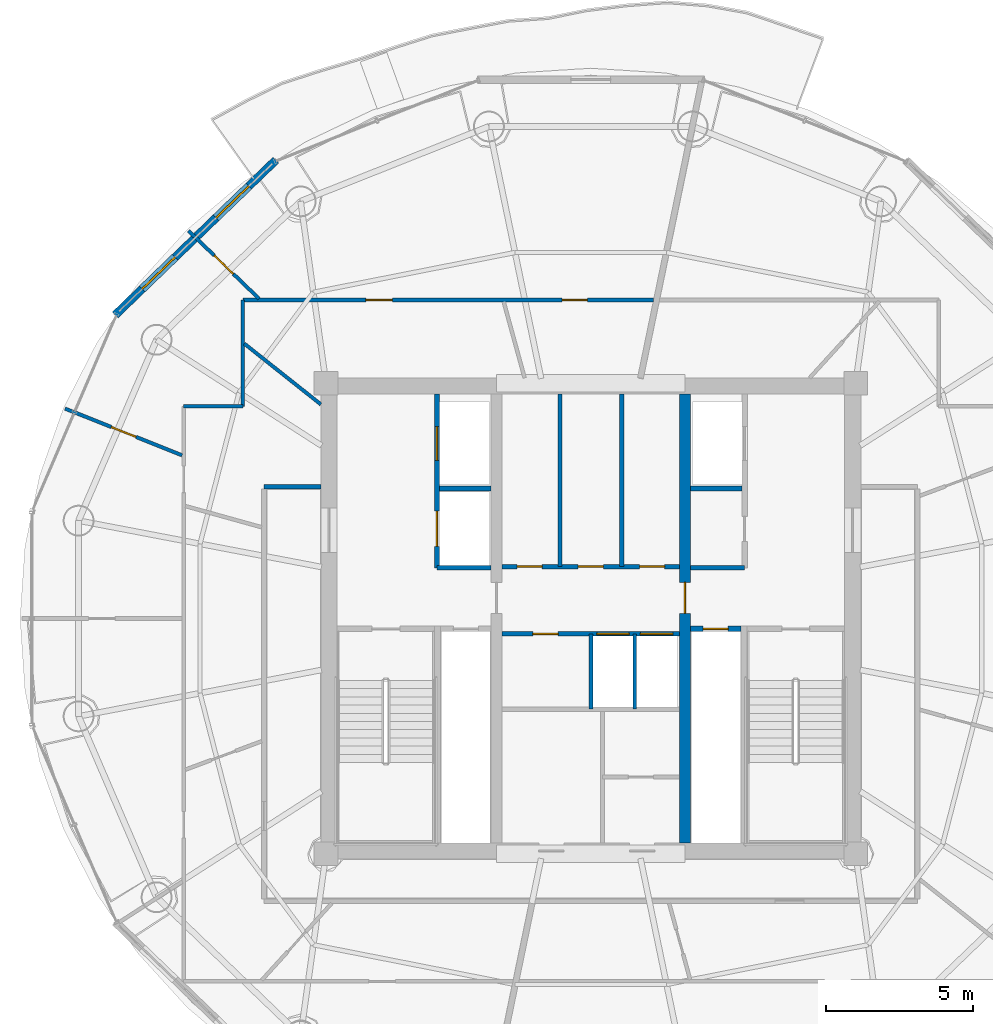
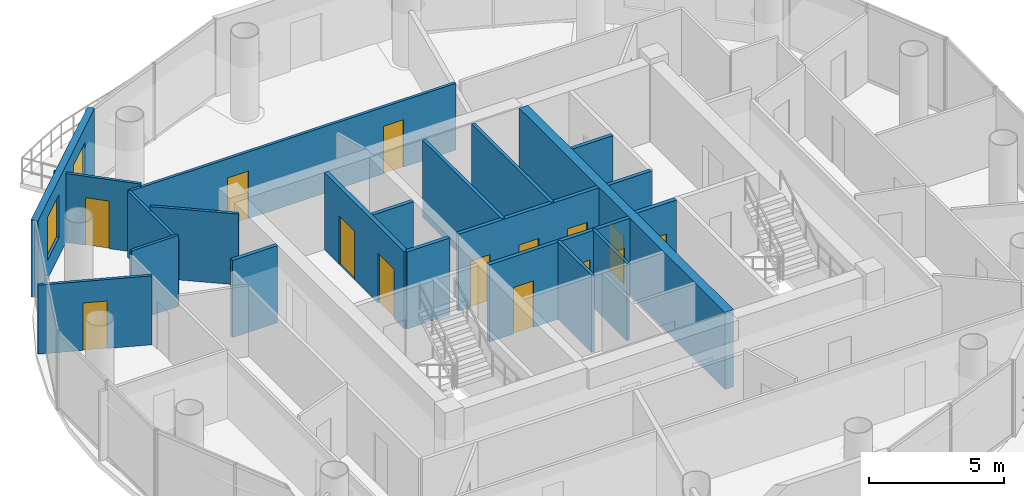
# One storey, part 16 of 22: 21 walls, 14 doors, 2 windows, 16 openings.
"""IFC4 building model written with IfcOpenShell, lengths in metres."""

from ifc_helpers import new_model, si_unit, direction, frame, frame_2d, origin, place, context, subcontext, project, spatial, rectangle, extrude, source, transform, mapped, material, layer, layer_set, type_object, element, fill, save


model = new_model("IFC4")

# Units and contexts
model_context = context("Model", 3, precision=1e-05, world=origin(), true_north=direction((-0.2419218956, 0.970295726276)))
body_context = subcontext(model_context, "Body", "Model", "MODEL_VIEW")
ifc_project = project(units=[si_unit("LENGTHUNIT", "METRE"), si_unit("AREAUNIT", "SQUARE_METRE"), si_unit("VOLUMEUNIT", "CUBIC_METRE"), si_unit("PLANEANGLEUNIT", "RADIAN"), si_unit("MASSUNIT", "GRAM", prefix="KILO")], contexts=[model_context])

# Site, building, storey
site_placement = place(None, origin())
site = spatial("IfcSite", under=ifc_project, at=site_placement, CompositionType="ELEMENT")
building_placement = place(site_placement, origin())
building = spatial("IfcBuilding", under=site, at=building_placement, Name="Cobrevalo Terracotta Tower", CompositionType="ELEMENT")
storey_placement = place(building_placement, frame((0.0, 0.0, 289.449951171875)))
storey = spatial("IfcBuildingStorey", under=building, at=storey_placement, Name="L76", CompositionType="ELEMENT", Elevation=289.449951171875)

# Walls
ifc_material_1 = material(Name="Gypsum board on steel stud", Category="steel")
ifc_layer_1 = layer(ifc_material_1, 0.159912109375)
ifc_layer_set_1 = layer_set([ifc_layer_1], Name="Gypsum board on steel stud")
wall_type_1 = type_object("IfcWallType", Name="Fire-rated corridor acoustic partition wall 160 mm", PredefinedType="PARTITIONING", material=ifc_layer_set_1)
wall_1_placement = place(storey_placement, frame((32.860107421875, 31.219970703125, 0.0), z_axis=(0.0, 0.0, 1.0), x_axis=(1.0, 0.0, 0.0)))
element("IfcWall", 1, at=wall_1_placement, inside=storey, type_object=wall_type_1, Name="L76 interior partition IW-L76-FF1-M", PredefinedType="PARTITIONING", context=body_context, shape_type="SweptSolid", body=[
    extrude(rectangle(XDim=1.75, YDim=0.159912109375, at=frame_2d((0.875, 0.0))), origin(), (0.0, 0.0, 1.0), 3.489990234375),
])
wall_2_placement = place(storey_placement, frame((32.77001953125, 28.52001953125, 0.0), z_axis=(0.0, 0.0, 1.0), x_axis=(1.0, 0.0, 0.0)))
element("IfcWall", 2, at=wall_2_placement, inside=storey, type_object=wall_type_1, Name="L76 interior partition IW-L76-FF1-S", PredefinedType="PARTITIONING", context=body_context, shape_type="SweptSolid", body=[
    extrude(rectangle(XDim=1.840087890625, YDim=0.159912109375, at=frame_2d((0.919921875, 0.0))), origin(), (0.0, 0.0, 1.0), 3.489990234375),
])
wall_3_placement = place(storey_placement, frame((41.389892578125, 31.219970703125, 0.0), z_axis=(0.0, 0.0, 1.0), x_axis=(1.0, 0.0, 0.0)))
element("IfcWall", 3, at=wall_3_placement, inside=storey, type_object=wall_type_1, Name="L76 interior partition IW-L76-FF2-M", PredefinedType="PARTITIONING", context=body_context, shape_type="SweptSolid", body=[
    extrude(rectangle(XDim=1.75, YDim=0.159912109375, at=frame_2d((0.875, 0.0))), origin(), (0.0, 0.0, 1.0), 3.489990234375),
])
wall_4_placement = place(storey_placement, frame((41.389892578125, 28.52001953125, 0.0), z_axis=(0.0, 0.0, 1.0), x_axis=(1.0, 0.0, 0.0)))
element("IfcWall", 4, at=wall_4_placement, inside=storey, type_object=wall_type_1, Name="L76 interior partition IW-L76-FF2-S", PredefinedType="PARTITIONING", context=body_context, shape_type="SweptSolid", body=[
    extrude(rectangle(XDim=1.840087890625, YDim=0.159912109375, at=frame_2d((0.919921875, 0.0))), origin(), (0.0, 0.0, 1.0), 3.489990234375),
])

# Wall, openings, doors
wall_5_placement = place(storey_placement, frame((34.989990234375, 28.56005859375, 0.0), z_axis=(0.0, 0.0, 1.0), x_axis=(1.0, 0.0, 0.0)))
wall_5 = element("IfcWall", 5, at=wall_5_placement, inside=storey, type_object=wall_type_1, Name="L76 interior partition IW-L76-LB-S", PredefinedType="PARTITIONING", context=body_context, shape_type="SweptSolid", body=[
    extrude(rectangle(XDim=6.02001953125, YDim=0.159912109375, at=frame_2d((3.010009765625, 0.0))), origin(), (0.0, 0.0, 1.0), 3.489990234375),
])
opening_1_placement = place(wall_5_placement, frame((0.5048828125, 0.0, 0.0)))
opening_1 = element("IfcOpeningElement", 6, at=opening_1_placement, cuts=wall_5, Name="Opening ID-22", PredefinedType="OPENING", context=body_context, shape_type="SweptSolid", body=[
    extrude(rectangle(XDim=0.85009765625, YDim=2.10009765625, at=frame_2d((0.425048828125, 1.050048828125))), frame((0.0, 0.08984375, 0.0), z_axis=(0.0, -1.0, 0.0), x_axis=(1.0, 0.0, 0.0)), (0.0, 0.0, 1.0), 0.179931640625),
])
opening_2_placement = place(wall_5_placement, frame((2.580078125, 0.0, 0.0)))
opening_2 = element("IfcOpeningElement", 7, at=opening_2_placement, cuts=wall_5, Name="Opening ID-07", PredefinedType="OPENING", context=body_context, shape_type="SweptSolid", body=[
    extrude(rectangle(XDim=0.860107421875, YDim=2.10009765625, at=frame_2d((0.43017578125, 1.050048828125))), frame((0.0, 0.08984375, 0.0), z_axis=(0.0, -1.0, 0.0), x_axis=(1.0, 0.0, 0.0)), (0.0, 0.0, 1.0), 0.179931640625),
])
opening_3_placement = place(wall_5_placement, frame((4.6650390625, 0.0, 0.0)))
opening_3 = element("IfcOpeningElement", 8, at=opening_3_placement, cuts=wall_5, Name="Opening ID-22", PredefinedType="OPENING", context=body_context, shape_type="SweptSolid", body=[
    extrude(rectangle(XDim=0.85009765625, YDim=2.10009765625, at=frame_2d((0.425048828125, 1.050048828125))), frame((0.0, 0.08984375, 0.0), z_axis=(0.0, -1.0, 0.0), x_axis=(1.0, 0.0, 0.0)), (0.0, 0.0, 1.0), 0.179931640625),
])
ifc_material_2 = material(Name="Powder-coated steel", Category="steel")
door_type_1 = type_object("IfcDoorType", Name="Riser shaft & meter closet fire access door 850x2100 EI 60", OperationType="NOTDEFINED", PredefinedType="DOOR", material=ifc_material_2)
shared_shape_1 = source(origin(), body_context, "Body", "SweptSolid", [
    extrude(rectangle(XDim=0.85009765625, YDim=2.10009765625, at=frame_2d((0.425048828125, 1.050048828125))), frame((0.0, 0.02490234375, 0.0), z_axis=(0.0, -1.0, 0.0), x_axis=(1.0, 0.0, 0.0)), (0.0, 0.0, 1.0), 0.050048828125),
])
door_1_placement = place(opening_1_placement, origin())
door_1 = element("IfcDoor", 9, at=door_1_placement, inside=storey, type_object=door_type_1, Name="L76 core service door Housekeeping Linen Store", OperationType="SINGLE_SWING_LEFT", OverallHeight=2.10009765625, OverallWidth=0.85009765625, PredefinedType="DOOR", context=body_context, shape_type="MappedRepresentation", body=[
    mapped(shared_shape_1, transform((0.0, 0.0, 0.0), scale=1.0)),
])
fill(opening_1, door_1)
door_2_placement = place(opening_3_placement, origin())
door_2 = element("IfcDoor", 10, at=door_2_placement, inside=storey, type_object=door_type_1, Name="L76 core service door Floor BMS Mechanical Plant", OperationType="SINGLE_SWING_LEFT", OverallHeight=2.10009765625, OverallWidth=0.85009765625, PredefinedType="DOOR", context=body_context, shape_type="MappedRepresentation", body=[
    mapped(shared_shape_1, transform((0.0, 0.0, 0.0), scale=1.0)),
])
fill(opening_3, door_2)
ifc_material_3 = material(Name="Fire-rated moisture-sealed timber", Category="wood")
door_type_2 = type_object("IfcDoorType", Name="Core & podium fire-rated accessible WC door 860x2100 EI 60", OperationType="NOTDEFINED", PredefinedType="DOOR", material=ifc_material_3)
shared_shape_2 = source(origin(), body_context, "Body", "SweptSolid", [
    extrude(rectangle(XDim=0.860107421875, YDim=2.10009765625, at=frame_2d((0.43017578125, 1.050048828125))), frame((0.0, 0.02490234375, 0.0), z_axis=(0.0, -1.0, 0.0), x_axis=(1.0, 0.0, 0.0)), (0.0, 0.0, 1.0), 0.050048828125),
])
door_3_placement = place(opening_2_placement, origin())
door_3 = element("IfcDoor", 11, at=door_3_placement, inside=storey, type_object=door_type_2, Name="L76 core service door Floor Service Toilet WC", OperationType="SINGLE_SWING_RIGHT", OverallHeight=2.10009765625, OverallWidth=0.860107421875, PredefinedType="DOOR", context=body_context, shape_type="MappedRepresentation", body=[
    mapped(shared_shape_2, transform((0.0, 0.0, 0.0), scale=1.0)),
])
fill(opening_2, door_3)

wall_6_placement = place(storey_placement, frame((34.989990234375, 26.280029296875, 0.0), z_axis=(0.0, 0.0, 1.0), x_axis=(1.0, 0.0, 0.0)))
wall_6 = element("IfcWall", 12, at=wall_6_placement, inside=storey, type_object=wall_type_1, Name="L76 interior partition IW-L76-MB-N", PredefinedType="PARTITIONING", context=body_context, shape_type="SweptSolid", body=[
    extrude(rectangle(XDim=6.02001953125, YDim=0.159912109375, at=frame_2d((3.010009765625, 0.0))), origin(), (0.0, 0.0, 1.0), 3.489990234375),
])
opening_4_placement = place(wall_6_placement, frame((1.044921875, 0.0, 0.0)))
opening_4 = element("IfcOpeningElement", 13, at=opening_4_placement, cuts=wall_6, Name="Opening ID-22", PredefinedType="OPENING", context=body_context, shape_type="SweptSolid", body=[
    extrude(rectangle(XDim=0.85009765625, YDim=2.10009765625, at=frame_2d((0.425048828125, 1.050048828125))), frame((0.0, 0.08984375, 0.0), z_axis=(0.0, -1.0, 0.0), x_axis=(1.0, 0.0, 0.0)), (0.0, 0.0, 1.0), 0.179931640625),
])
opening_5_placement = place(wall_6_placement, frame((3.215087890625, 0.0, 0.0)))
opening_5 = element("IfcOpeningElement", 14, at=opening_5_placement, cuts=wall_6, Name="Opening LD-01", PredefinedType="OPENING", context=body_context, shape_type="SweptSolid", body=[
    extrude(rectangle(XDim=1.10009765625, YDim=2.199951171875, at=frame_2d((0.550048828125, 1.10009765625))), frame((0.0, 0.08984375, 0.0), z_axis=(0.0, -1.0, 0.0), x_axis=(1.0, 0.0, 0.0)), (0.0, 0.0, 1.0), 0.179931640625),
])
opening_6_placement = place(wall_6_placement, frame((4.695068359375, 0.0, 0.0)))
opening_6 = element("IfcOpeningElement", 15, at=opening_6_placement, cuts=wall_6, Name="Opening LD-01", PredefinedType="OPENING", context=body_context, shape_type="SweptSolid", body=[
    extrude(rectangle(XDim=1.10009765625, YDim=2.199951171875, at=frame_2d((0.550048828125, 1.10009765625))), frame((0.0, 0.08984375, 0.0), z_axis=(0.0, -1.0, 0.0), x_axis=(1.0, 0.0, 0.0)), (0.0, 0.0, 1.0), 0.179931640625),
])
door_4_placement = place(opening_4_placement, frame((0.85009765625, 0.0, 0.0), z_axis=(0.0, 0.0, 1.0), x_axis=(-1.0, 0.0, 0.0)))
door_4 = element("IfcDoor", 16, at=door_4_placement, inside=storey, type_object=door_type_1, Name="L76 core room door High-Rise Core Linen and Equipment Store", OperationType="SINGLE_SWING_RIGHT", OverallHeight=2.10009765625, OverallWidth=0.85009765625, PredefinedType="DOOR", context=body_context, shape_type="MappedRepresentation", body=[
    mapped(shared_shape_1, transform((0.0, 0.0, 0.0), scale=1.0)),
])
fill(opening_4, door_4)
ifc_material_4 = material(Name="Brushed stainless steel", Category="steel")
door_type_3 = type_object("IfcDoorType", Name="Passenger lift landing bi-parting sliding door 1100x2200 EI 90", OperationType="DOUBLE_DOOR_SLIDING", PredefinedType="DOOR", material=ifc_material_4)
shared_shape_3 = source(origin(), body_context, "Body", "SweptSolid", [
    extrude(rectangle(XDim=1.10009765625, YDim=2.199951171875, at=frame_2d((0.550048828125, 1.10009765625))), frame((0.0, 0.02490234375, 0.0), z_axis=(0.0, -1.0, 0.0), x_axis=(1.0, 0.0, 0.0)), (0.0, 0.0, 1.0), 0.050048828125),
])
door_5_placement = place(opening_5_placement, origin())
door_5 = element("IfcDoor", 17, at=door_5_placement, inside=storey, type_object=door_type_3, Name="L76 lift landing door PL-H1", OperationType="DOUBLE_DOOR_SLIDING", OverallHeight=2.199951171875, OverallWidth=1.10009765625, PredefinedType="DOOR", context=body_context, shape_type="MappedRepresentation", body=[
    mapped(shared_shape_3, transform((0.0, 0.0, 0.0), scale=1.0)),
])
fill(opening_5, door_5)
door_6_placement = place(opening_6_placement, origin())
door_6 = element("IfcDoor", 18, at=door_6_placement, inside=storey, type_object=door_type_3, Name="L76 lift landing door PL-H2", OperationType="DOUBLE_DOOR_SLIDING", OverallHeight=2.199951171875, OverallWidth=1.10009765625, PredefinedType="DOOR", context=body_context, shape_type="MappedRepresentation", body=[
    mapped(shared_shape_3, transform((0.0, 0.0, 0.0), scale=1.0)),
])
fill(opening_6, door_6)

# Wall
wall_7_placement = place(storey_placement, frame((26.89501953125, 31.280029296875, 0.0), z_axis=(0.0, 0.0, 1.0), x_axis=(1.0, 0.0, 0.0)))
element("IfcWall", 19, at=wall_7_placement, inside=storey, type_object=wall_type_1, Name="L76 interior partition IW-L76-COR-WN-CAP", PredefinedType="PARTITIONING", context=body_context, shape_type="SweptSolid", body=[
    extrude(rectangle(XDim=1.929931640625, YDim=0.159912109375, at=frame_2d((0.96484375, 0.0))), origin(), (0.0, 0.0, 1.0), 3.489990234375),
])

# Wall, opening, door
ifc_layer_2 = layer(ifc_material_1, 0.179931640625)
ifc_layer_set_2 = layer_set([ifc_layer_2], Name="Gypsum board on steel stud")
wall_type_2 = type_object("IfcWallType", Name="Fire-rated shaft & lobby acoustic partition wall 180 mm", PredefinedType="PARTITIONING", material=ifc_layer_set_2)
wall_8_placement = place(storey_placement, frame((41.389892578125, 26.449951171875, 0.0), z_axis=(0.0, 0.0, 1.0), x_axis=(1.0, 0.0, 0.0)))
wall_8 = element("IfcWall", 20, at=wall_8_placement, inside=storey, type_object=wall_type_2, Name="L76 interior partition IW-L76-RSE-N", PredefinedType="PARTITIONING", context=body_context, shape_type="SweptSolid", body=[
    extrude(rectangle(XDim=1.710205078125, YDim=0.179931640625, at=frame_2d((0.85498046875, 0.0))), origin(), (0.0, 0.0, 1.0), 3.489990234375),
])
opening_7_placement = place(wall_8_placement, frame((0.429931640625, 0.0, 0.0)))
opening_7 = element("IfcOpeningElement", 21, at=opening_7_placement, cuts=wall_8, Name="Opening ID-22", PredefinedType="OPENING", context=body_context, shape_type="SweptSolid", body=[
    extrude(rectangle(XDim=0.85009765625, YDim=2.10009765625, at=frame_2d((0.425048828125, 1.050048828125))), frame((0.0, 0.10009765625, 0.0), z_axis=(0.0, -1.0, 0.0), x_axis=(1.0, 0.0, 0.0)), (0.0, 0.0, 1.0), 0.199951171875),
])
door_7_placement = place(opening_7_placement, origin())
door_7 = element("IfcDoor", 22, at=door_7_placement, inside=storey, type_object=door_type_1, Name="L76 riser access door RSE", OperationType="SINGLE_SWING_RIGHT", OverallHeight=2.10009765625, OverallWidth=0.85009765625, PredefinedType="DOOR", context=body_context, shape_type="MappedRepresentation", body=[
    mapped(shared_shape_1, transform((0.0, 0.0, 0.0), scale=1.0)),
])
fill(opening_7, door_7)

# Wall, openings, doors
wall_9_placement = place(storey_placement, frame((32.77001953125, 28.52001953125, 0.0), z_axis=(0.0, 0.0, 1.0), x_axis=(0.0, 1.0, 0.0)))
wall_9 = element("IfcWall", 23, at=wall_9_placement, inside=storey, type_object=wall_type_2, Name="L76 interior partition IW-L76-FF1-W", PredefinedType="PARTITIONING", context=body_context, shape_type="SweptSolid", body=[
    extrude(rectangle(XDim=5.905029296875, YDim=0.179931640625, at=frame_2d((2.95263671875, 0.0))), origin(), (0.0, 0.0, 1.0), 3.489990234375),
])
opening_8_placement = place(wall_9_placement, frame((3.655029296875, 0.0, 0.0)))
opening_8 = element("IfcOpeningElement", 24, at=opening_8_placement, cuts=wall_9, Name="Opening LD-02", PredefinedType="OPENING", context=body_context, shape_type="SweptSolid", body=[
    extrude(rectangle(XDim=1.14990234375, YDim=2.199951171875, at=frame_2d((0.574951171875, 1.10009765625))), frame((0.0, 0.10009765625, 0.0), z_axis=(0.0, -1.0, 0.0), x_axis=(1.0, 0.0, 0.0)), (0.0, 0.0, 1.0), 0.199951171875),
])
opening_9_placement = place(wall_9_placement, frame((0.72998046875, 0.0, 0.0)))
opening_9 = element("IfcOpeningElement", 25, at=opening_9_placement, cuts=wall_9, Name="Opening LD-03", PredefinedType="OPENING", context=body_context, shape_type="SweptSolid", body=[
    extrude(rectangle(XDim=1.199951171875, YDim=2.25, at=frame_2d((0.60009765625, 1.125))), frame((0.0, 0.10009765625, 0.0), z_axis=(0.0, -1.0, 0.0), x_axis=(1.0, 0.0, 0.0)), (0.0, 0.0, 1.0), 0.199951171875),
])
door_type_4 = type_object("IfcDoorType", Name="Firefighting lift landing bi-parting sliding door 1150x2200 EI 120", OperationType="DOUBLE_DOOR_SLIDING", PredefinedType="DOOR", material=ifc_material_4)
shared_shape_4 = source(origin(), body_context, "Body", "SweptSolid", [
    extrude(rectangle(XDim=1.14990234375, YDim=2.199951171875, at=frame_2d((0.574951171875, 1.10009765625))), frame((0.0, 0.02490234375, 0.0), z_axis=(0.0, -1.0, 0.0), x_axis=(1.0, 0.0, 0.0)), (0.0, 0.0, 1.0), 0.050048828125),
])
door_8_placement = place(opening_8_placement, origin())
door_8 = element("IfcDoor", 26, at=door_8_placement, inside=storey, type_object=door_type_4, Name="L76 lift landing door FF-1", OperationType="DOUBLE_DOOR_SLIDING", OverallHeight=2.199951171875, OverallWidth=1.14990234375, PredefinedType="DOOR", context=body_context, shape_type="MappedRepresentation", body=[
    mapped(shared_shape_4, transform((0.0, 0.0, 0.0), scale=1.0)),
])
fill(opening_8, door_8)
door_type_5 = type_object("IfcDoorType", Name="Service lift landing bi-parting sliding door 1200x2250 EI 120", OperationType="DOUBLE_DOOR_SLIDING", PredefinedType="DOOR", material=ifc_material_4)
shared_shape_5 = source(origin(), body_context, "Body", "SweptSolid", [
    extrude(rectangle(XDim=1.199951171875, YDim=2.25, at=frame_2d((0.60009765625, 1.125))), frame((0.0, 0.02490234375, 0.0), z_axis=(0.0, -1.0, 0.0), x_axis=(1.0, 0.0, 0.0)), (0.0, 0.0, 1.0), 0.050048828125),
])
door_9_placement = place(opening_9_placement, origin())
door_9 = element("IfcDoor", 27, at=door_9_placement, inside=storey, type_object=door_type_5, Name="L76 lift landing door SV-1", OperationType="DOUBLE_DOOR_SLIDING", OverallHeight=2.25, OverallWidth=1.199951171875, PredefinedType="DOOR", context=body_context, shape_type="MappedRepresentation", body=[
    mapped(shared_shape_5, transform((0.0, 0.0, 0.0), scale=1.0)),
])
fill(opening_9, door_9)

# Wall
ifc_material_5 = material(Name="Autoclaved aerated concrete block", Category="concrete")
ifc_layer_3 = layer(ifc_material_5, 0.1201171875)
ifc_layer_set_3 = layer_set([ifc_layer_3], Name="Autoclaved aerated concrete block")
wall_type_3 = type_object("IfcWallType", Name="Fire-rated wet-room & core service partition 120 mm", PredefinedType="PARTITIONING", material=ifc_layer_set_3)
wall_10_placement = place(storey_placement, frame((39.5, 23.719970703125, 0.0), z_axis=(0.0, 0.0, 1.0), x_axis=(0.0, 1.0, 0.0)))
element("IfcWall", 28, at=wall_10_placement, inside=storey, type_object=wall_type_3, Name="L76 interior partition IW-L76-MB-D3", PredefinedType="PARTITIONING", context=body_context, shape_type="SweptSolid", body=[
    extrude(rectangle(XDim=2.56005859375, YDim=0.1201171875, at=frame_2d((1.280029296875, 0.0))), origin(), (0.0, 0.0, 1.0), 3.489990234375),
])

# Wall, openings, windows
ifc_layer_4 = layer(ifc_material_5, 0.280029296875)
ifc_layer_set_4 = layer_set([ifc_layer_4], Name="Autoclaved aerated concrete block")
wall_type_4 = type_object("IfcWallType", Name="Insulated tower spandrel & pier wall 280 mm with terracotta rainscreen", PredefinedType="SOLIDWALL", material=ifc_layer_set_4)
wall_11_placement = place(storey_placement, frame((27.296142578125, 42.379150390625, 0.0), z_axis=(0.0, 0.0, 1.0), x_axis=(-0.719979309073, -0.693995529169, 0.0)))
wall_11 = element("IfcWall", 29, at=wall_11_placement, inside=storey, type_object=wall_type_4, Name="L76 terracotta rainscreen pier wall S06", PredefinedType="SOLIDWALL", context=body_context, shape_type="SweptSolid", body=[
    extrude(rectangle(XDim=7.58251953125, YDim=0.280029296875, at=frame_2d((3.791259765625, 0.0))), origin(), (0.0, 0.0, 1.0), 3.489990234375),
])
opening_10_placement = place(wall_11_placement, frame((1.272216796875, 0.0, 0.85009765625)))
opening_10 = element("IfcOpeningElement", 30, at=opening_10_placement, cuts=wall_11, Name="Opening WN-12", PredefinedType="OPENING", context=body_context, shape_type="SweptSolid", body=[
    extrude(rectangle(XDim=1.550048828125, YDim=1.949951171875, at=frame_2d((0.77490234375, 0.97509765625))), frame((0.0, 0.14990234375, 0.0), z_axis=(0.0, -1.0, 0.0), x_axis=(1.0, 0.0, 0.0)), (0.0, 0.0, 1.0), 0.300048828125),
])
opening_11_placement = place(wall_11_placement, frame((4.76025390625, 0.0, 0.85009765625)))
opening_11 = element("IfcOpeningElement", 31, at=opening_11_placement, cuts=wall_11, Name="Opening WN-12", PredefinedType="OPENING", context=body_context, shape_type="SweptSolid", body=[
    extrude(rectangle(XDim=1.550048828125, YDim=1.949951171875, at=frame_2d((0.77490234375, 0.97509765625))), frame((0.0, 0.14990234375, 0.0), z_axis=(0.0, -1.0, 0.0), x_axis=(1.0, 0.0, 0.0)), (0.0, 0.0, 1.0), 0.300048828125),
])
ifc_material_6 = material(Name="Solar-control low-E double glazing", Category="glass")
window_type = type_object("IfcWindowType", Name="Solar-control low-E aluminium window 1550x1950", PartitioningType="SINGLE_PANEL", PredefinedType="WINDOW", material=ifc_material_6)
shared_shape_6 = source(origin(), body_context, "Body", "SweptSolid", [
    extrude(rectangle(XDim=1.550048828125, YDim=1.949951171875, at=frame_2d((0.77490234375, 0.97509765625))), frame((0.0, 0.030029296875, 0.0), z_axis=(0.0, -1.0, 0.0), x_axis=(1.0, 0.0, 0.0)), (0.0, 0.0, 1.0), 0.06005859375),
])
window_1_placement = place(opening_10_placement, origin())
window_1 = element("IfcWindow", 32, at=window_1_placement, inside=storey, type_object=window_type, Name="L76 suite window S06A", OverallHeight=1.949951171875, OverallWidth=1.550048828125, PartitioningType="SINGLE_PANEL", PredefinedType="WINDOW", context=body_context, shape_type="MappedRepresentation", body=[
    mapped(shared_shape_6, transform((0.0, 0.0, 0.0), scale=1.0)),
])
fill(opening_10, window_1)
window_2_placement = place(opening_11_placement, origin())
window_2 = element("IfcWindow", 33, at=window_2_placement, inside=storey, type_object=window_type, Name="L76 suite window S06B", OverallHeight=1.949951171875, OverallWidth=1.550048828125, PartitioningType="SINGLE_PANEL", PredefinedType="WINDOW", context=body_context, shape_type="MappedRepresentation", body=[
    mapped(shared_shape_6, transform((0.0, 0.0, 0.0), scale=1.0)),
])
fill(opening_11, window_2)

# Wall, opening, door
ifc_material_7 = material(Name="Concrete C50", Category="concrete")
ifc_layer_5 = layer(ifc_material_7, 0.3798828125)
ifc_layer_set_5 = layer_set([ifc_layer_5], Name="Concrete C50")
wall_type_5 = type_object("IfcWallType", Name="Internal core shear web wall 380 mm Concrete C50", PredefinedType="SHEAR", material=ifc_layer_set_5)
wall_12_placement = place(storey_placement, frame((41.199951171875, 19.175048828125, 0.0), z_axis=(0.0, 0.0, 1.0), x_axis=(0.0, 1.0, 0.0)))
wall_12 = element("IfcWall", 34, at=wall_12_placement, inside=storey, type_object=wall_type_5, Name="L76 internal core shear wall WEB-E", PredefinedType="SHEAR", context=body_context, shape_type="SweptSolid", body=[
    extrude(rectangle(XDim=15.25, YDim=0.3798828125, at=frame_2d((7.625, 0.0))), origin(), (0.0, 0.0, 1.0), 3.489990234375),
])
opening_12_placement = place(wall_12_placement, frame((7.800048828125, 0.0, 0.0)))
opening_12 = element("IfcOpeningElement", 35, at=opening_12_placement, cuts=wall_12, Name="Opening ID-11", PredefinedType="OPENING", context=body_context, shape_type="SweptSolid", body=[
    extrude(rectangle(XDim=1.050048828125, YDim=2.14990234375, at=frame_2d((0.52490234375, 1.074951171875))), frame((0.0, 0.199951171875, 0.0), z_axis=(0.0, -1.0, 0.0), x_axis=(1.0, 0.0, 0.0)), (0.0, 0.0, 1.0), 0.39990234375),
])
ifc_material_8 = material(Name="Galvanized fire-rated steel", Category="steel")
door_type_6 = type_object("IfcDoorType", Name="Core concourse cross fire door 1050x2150 EI 90", OperationType="NOTDEFINED", PredefinedType="DOOR", material=ifc_material_8)
shared_shape_7 = source(origin(), body_context, "Body", "SweptSolid", [
    extrude(rectangle(XDim=1.050048828125, YDim=2.14990234375, at=frame_2d((0.52490234375, 1.074951171875))), frame((0.0, 0.02490234375, 0.0), z_axis=(0.0, -1.0, 0.0), x_axis=(1.0, 0.0, 0.0)), (0.0, 0.0, 1.0), 0.050048828125),
])
door_10_placement = place(opening_12_placement, frame((1.050048828125, 0.0, 0.0), z_axis=(0.0, 0.0, 1.0), x_axis=(-1.0, 0.0, 0.0)))
door_10 = element("IfcDoor", 36, at=door_10_placement, inside=storey, type_object=door_type_6, Name="L76 east core concourse cross door", OperationType="SINGLE_SWING_RIGHT", OverallHeight=2.14990234375, OverallWidth=1.050048828125, PredefinedType="DOOR", context=body_context, shape_type="MappedRepresentation", body=[
    mapped(shared_shape_7, transform((0.0, 0.0, 0.0), scale=1.0)),
])
fill(opening_12, door_10)

# Walls
ifc_layer_6 = layer(ifc_material_5, 0.139892578125)
ifc_layer_set_6 = layer_set([ifc_layer_6], Name="Autoclaved aerated concrete block")
wall_type_6 = type_object("IfcWallType", Name="Moisture-resistant wet-room & core service partition 140 mm", PredefinedType="PARTITIONING", material=ifc_layer_set_6)
for number, where, z_axis, x_axis, name in (
    (37, (36.949951171875, 28.56005859375, 0.0), (0.0, 0.0, 1.0), (0.0, 1.0, 0.0), "L76 interior partition IW-L76-KVN-A"),
    (38, (39.050048828125, 28.56005859375, 0.0), (0.0, 0.0, 1.0), (0.0, 1.0, 0.0), "L76 interior partition IW-L76-KVN-B"),
):
    element("IfcWall", number, at=place(storey_placement, frame(where, z_axis=z_axis, x_axis=x_axis)), inside=storey, type_object=wall_type_6, Name=name, PredefinedType="PARTITIONING", context=body_context, shape_type="SweptSolid", body=[
        extrude(rectangle(XDim=5.864990234375, YDim=0.139892578125, at=frame_2d((2.9326171875, 0.0))), origin(), (0.0, 0.0, 1.0), 3.489990234375),
    ])
wall_13_placement = place(storey_placement, frame((38.0, 23.719970703125, 0.0), z_axis=(0.0, 0.0, 1.0), x_axis=(0.0, 1.0, 0.0)))
element("IfcWall", 39, at=wall_13_placement, inside=storey, type_object=wall_type_6, Name="L76 interior partition IW-L76-MB-D2", PredefinedType="PARTITIONING", context=body_context, shape_type="SweptSolid", body=[
    extrude(rectangle(XDim=2.56005859375, YDim=0.139892578125, at=frame_2d((1.280029296875, 0.0))), origin(), (0.0, 0.0, 1.0), 3.489990234375),
])
ifc_layer_7 = layer(ifc_material_1, 0.1201171875)
ifc_layer_set_7 = layer_set([ifc_layer_7], Name="Gypsum board on steel stud")
wall_type_7 = type_object("IfcWallType", Name="Residential internal acoustic stud partition 120 mm", PredefinedType="PARTITIONING", material=ifc_layer_set_7)
wall_14_placement = place(storey_placement, frame((24.1650390625, 34.010009765625, 0.0), z_axis=(0.0, 0.0, 1.0), x_axis=(1.0, 0.0, 0.0)))
element("IfcWall", 40, at=wall_14_placement, inside=storey, type_object=wall_type_7, Name="L76 interior partition IW-L76-U1-RING2_0", PredefinedType="PARTITIONING", context=body_context, shape_type="SweptSolid", body=[
    extrude(rectangle(XDim=2.010009765625, YDim=0.1201171875, at=frame_2d((1.0048828125, 0.0))), origin(), (0.0, 0.0, 1.0), 3.208984375),
])
wall_15_placement = place(storey_placement, frame((26.175048828125, 34.010009765625, 0.0), z_axis=(0.0, 0.0, 1.0), x_axis=(0.0, 1.0, 0.0)))
element("IfcWall", 41, at=wall_15_placement, inside=storey, type_object=wall_type_7, Name="L76 interior partition IW-L76-U1-RING3_0", PredefinedType="PARTITIONING", context=body_context, shape_type="SweptSolid", body=[
    extrude(rectangle(XDim=3.614990234375, YDim=0.1201171875, at=frame_2d((1.8076171875, 0.0))), origin(), (0.0, 0.0, 1.0), 3.01513671875),
])

# Wall, openings, doors
wall_16_placement = place(storey_placement, frame((26.175048828125, 37.625, 0.0), z_axis=(0.0, 0.0, 1.0), x_axis=(1.0, 0.0, 0.0)))
wall_16 = element("IfcWall", 42, at=wall_16_placement, inside=storey, type_object=wall_type_7, Name="L76 interior partition IW-L76-U1-RING4_0", PredefinedType="PARTITIONING", context=body_context, shape_type="SweptSolid", body=[
    extrude(rectangle(XDim=13.956787109375, YDim=0.1201171875, at=frame_2d((6.978515625, 0.0))), origin(), (0.0, 0.0, 1.0), 3.01513671875),
])
opening_13_placement = place(wall_16_placement, frame((10.852294921875, 0.0, 0.0)))
opening_13 = element("IfcOpeningElement", 43, at=opening_13_placement, cuts=wall_16, Name="Opening ID-19", PredefinedType="OPENING", context=body_context, shape_type="SweptSolid", body=[
    extrude(rectangle(XDim=0.860107421875, YDim=2.14990234375, at=frame_2d((0.43017578125, 1.074951171875))), frame((0.0, 0.070068359375, 0.0), z_axis=(0.0, -1.0, 0.0), x_axis=(1.0, 0.0, 0.0)), (0.0, 0.0, 1.0), 0.14013671875),
])
opening_14_placement = place(wall_16_placement, frame((4.1826171875, 0.0, 0.0)))
opening_14 = element("IfcOpeningElement", 44, at=opening_14_placement, cuts=wall_16, Name="Opening ID-12", PredefinedType="OPENING", context=body_context, shape_type="SweptSolid", body=[
    extrude(rectangle(XDim=0.89990234375, YDim=2.14990234375, at=frame_2d((0.449951171875, 1.074951171875))), frame((0.0, 0.070068359375, 0.0), z_axis=(0.0, -1.0, 0.0), x_axis=(1.0, 0.0, 0.0)), (0.0, 0.0, 1.0), 0.14013671875),
])
ifc_material_9 = material(Name="Moisture-sealed timber", Category="wood")
door_type_7 = type_object("IfcDoorType", Name="Suite bathroom internal timber door 860x2150", OperationType="NOTDEFINED", PredefinedType="DOOR", material=ifc_material_9)
shared_shape_8 = source(origin(), body_context, "Body", "SweptSolid", [
    extrude(rectangle(XDim=0.860107421875, YDim=2.14990234375, at=frame_2d((0.43017578125, 1.074951171875))), frame((0.0, 0.02490234375, 0.0), z_axis=(0.0, -1.0, 0.0), x_axis=(1.0, 0.0, 0.0)), (0.0, 0.0, 1.0), 0.050048828125),
])
door_11_placement = place(opening_13_placement, frame((0.860107421875, 0.0, 0.0), z_axis=(0.0, 0.0, 1.0), x_axis=(-1.0, 0.0, 0.0)))
door_11 = element("IfcDoor", 45, at=door_11_placement, inside=storey, type_object=door_type_7, Name="Flat L76A Guest Bathroom internal door", OperationType="SINGLE_SWING_LEFT", OverallHeight=2.14990234375, OverallWidth=0.860107421875, PredefinedType="DOOR", context=body_context, shape_type="MappedRepresentation", body=[
    mapped(shared_shape_8, transform((0.0, 0.0, 0.0), scale=1.0)),
])
fill(opening_13, door_11)
ifc_material_10 = material(Name="Engineered timber", Category="wood")
door_type_8 = type_object("IfcDoorType", Name="Internal residence & suite timber door 900x2150", OperationType="NOTDEFINED", PredefinedType="DOOR", material=ifc_material_10)
shared_shape_9 = source(origin(), body_context, "Body", "SweptSolid", [
    extrude(rectangle(XDim=0.89990234375, YDim=2.14990234375, at=frame_2d((0.449951171875, 1.074951171875))), frame((0.0, 0.02490234375, 0.0), z_axis=(0.0, -1.0, 0.0), x_axis=(1.0, 0.0, 0.0)), (0.0, 0.0, 1.0), 0.050048828125),
])
door_12_placement = place(opening_14_placement, frame((0.89990234375, 0.0, 0.0), z_axis=(0.0, 0.0, 1.0), x_axis=(-1.0, 0.0, 0.0)))
door_12 = element("IfcDoor", 46, at=door_12_placement, inside=storey, type_object=door_type_8, Name="Flat L76A Utility Closet internal door", OperationType="SINGLE_SWING_RIGHT", OverallHeight=2.14990234375, OverallWidth=0.89990234375, PredefinedType="DOOR", context=body_context, shape_type="MappedRepresentation", body=[
    mapped(shared_shape_9, transform((0.0, 0.0, 0.0), scale=1.0)),
])
fill(opening_14, door_12)

# Wall, opening, door
wall_17_placement = place(storey_placement, frame((26.72509765625, 37.66796875, 0.0), z_axis=(0.0, 0.0, 1.0), x_axis=(-0.719954096891, 0.694021684366, 0.0)))
wall_17 = element("IfcWall", 47, at=wall_17_placement, inside=storey, type_object=wall_type_7, Name="L76 interior partition IW-L76-U1-ORAD1", PredefinedType="PARTITIONING", context=body_context, shape_type="SweptSolid", body=[
    extrude(rectangle(XDim=3.332763671875, YDim=0.1201171875, at=frame_2d((1.66650390625, 0.0))), origin(), (0.0, 0.0, 1.0), 3.12109375),
])
opening_15_placement = place(wall_17_placement, frame((1.21630859375, 0.0, 0.0)))
opening_15 = element("IfcOpeningElement", 48, at=opening_15_placement, cuts=wall_17, Name="Opening ID-12", PredefinedType="OPENING", context=body_context, shape_type="SweptSolid", body=[
    extrude(rectangle(XDim=0.89990234375, YDim=2.14990234375, at=frame_2d((0.449951171875, 1.074951171875))), frame((0.0, 0.070068359375, 0.0), z_axis=(0.0, -1.0, 0.0), x_axis=(1.0, 0.0, 0.0)), (0.0, 0.0, 1.0), 0.14013671875),
])
door_13_placement = place(opening_15_placement, frame((0.89990234375, 0.0, 0.0), z_axis=(0.0, 0.0, 1.0), x_axis=(-1.0, 0.0, 0.0)))
door_13 = element("IfcDoor", 49, at=door_13_placement, inside=storey, type_object=door_type_8, Name="Flat L76A Penthouse Living and Dining Room internal door", OperationType="SINGLE_SWING_RIGHT", OverallHeight=2.14990234375, OverallWidth=0.89990234375, PredefinedType="DOOR", context=body_context, shape_type="MappedRepresentation", body=[
    mapped(shared_shape_9, transform((0.0, 0.0, 0.0), scale=1.0)),
])
fill(opening_15, door_13)

wall_18_placement = place(storey_placement, frame((24.107421875, 32.346923828125, 0.0), z_axis=(0.0, 0.0, 1.0), x_axis=(-0.928712556691, 0.370800467966, 0.0)))
wall_18 = element("IfcWall", 50, at=wall_18_placement, inside=storey, type_object=wall_type_7, Name="L76 interior partition IW-L76-U1-ORAD2M1", PredefinedType="PARTITIONING", context=body_context, shape_type="SweptSolid", body=[
    extrude(rectangle(XDim=4.27978515625, YDim=0.1201171875, at=frame_2d((2.139892578125, 0.0))), origin(), (0.0, 0.0, 1.0), 3.12109375),
])
opening_16_placement = place(wall_18_placement, frame((1.68994140625, 0.0, 0.0)))
opening_16 = element("IfcOpeningElement", 51, at=opening_16_placement, cuts=wall_18, Name="Opening ID-12", PredefinedType="OPENING", context=body_context, shape_type="SweptSolid", body=[
    extrude(rectangle(XDim=0.89990234375, YDim=2.14990234375, at=frame_2d((0.449951171875, 1.074951171875))), frame((0.0, 0.070068359375, 0.0), z_axis=(0.0, -1.0, 0.0), x_axis=(1.0, 0.0, 0.0)), (0.0, 0.0, 1.0), 0.14013671875),
])
door_14_placement = place(opening_16_placement, frame((0.89990234375, 0.0, 0.0), z_axis=(0.0, 0.0, 1.0), x_axis=(-1.0, 0.0, 0.0)))
door_14 = element("IfcDoor", 52, at=door_14_placement, inside=storey, type_object=door_type_8, Name="Flat L76A Master Bedroom internal door", OperationType="SINGLE_SWING_LEFT", OverallHeight=2.14990234375, OverallWidth=0.89990234375, PredefinedType="DOOR", context=body_context, shape_type="MappedRepresentation", body=[
    mapped(shared_shape_9, transform((0.0, 0.0, 0.0), scale=1.0)),
])
fill(opening_16, door_14)

# Wall
wall_19_placement = place(storey_placement, frame((28.824951171875, 34.077392578125, 0.0), z_axis=(0.0, 0.0, 1.0), x_axis=(-0.783444596274, 0.621461635637, 0.0)))
element("IfcWall", 53, at=wall_19_placement, inside=storey, type_object=wall_type_7, Name="L76 interior partition IW-L76-U1-IRAD2", PredefinedType="PARTITIONING", context=body_context, shape_type="SweptSolid", body=[
    extrude(rectangle(XDim=3.3203125, YDim=0.1201171875, at=frame_2d((1.66015625, 0.0))), origin(), (0.0, 0.0, 1.0), 3.208984375),
])

save(model, "model.ifc")
